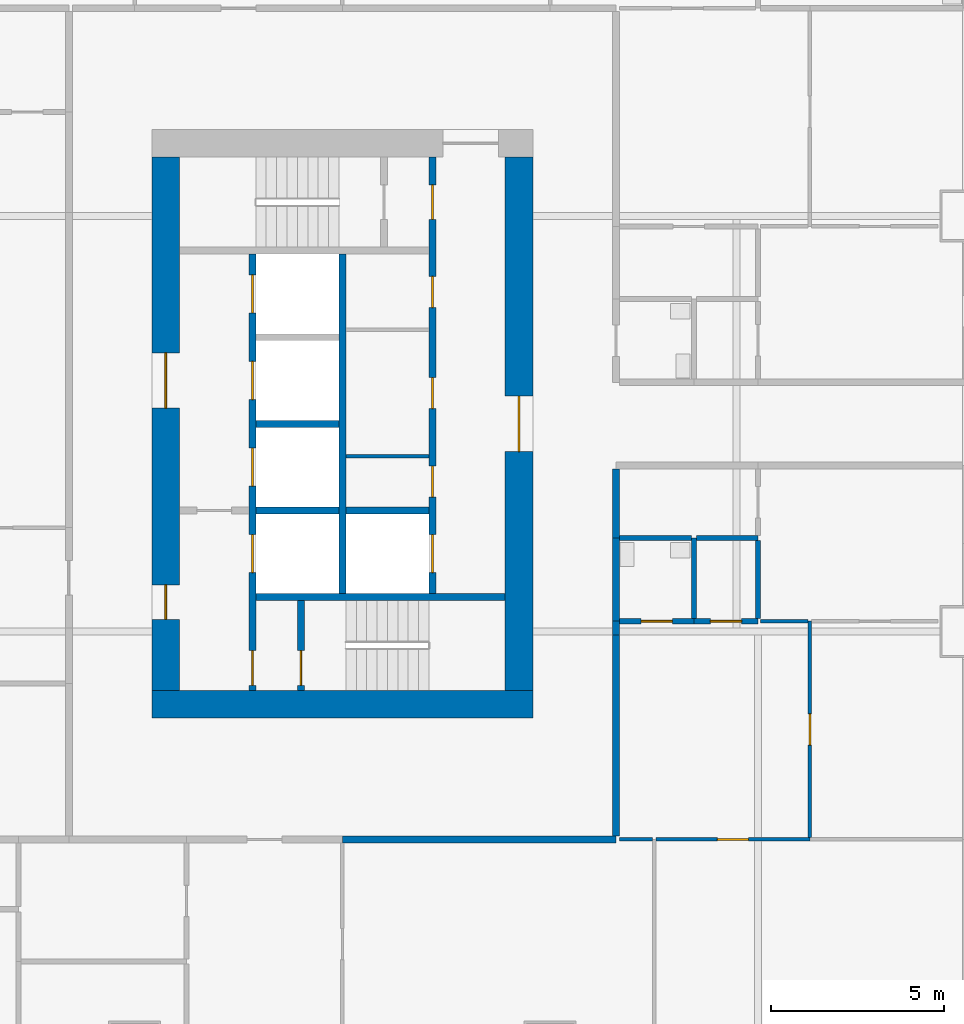
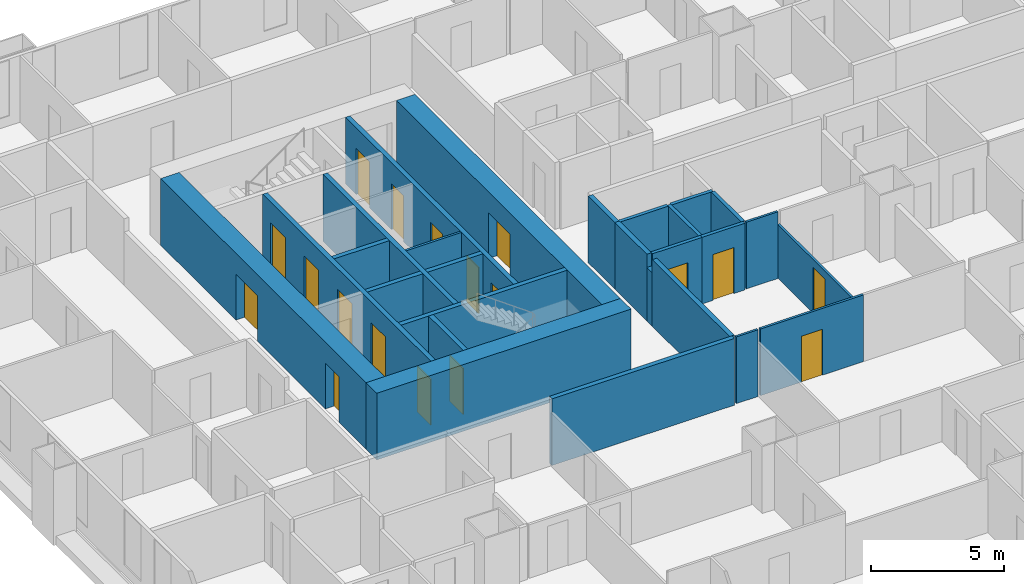
# One storey, part 4 of 14: 27 walls, 18 doors, 18 openings.
"""IFC4 building model written with IfcOpenShell, lengths in metres."""

from ifc_helpers import new_model, si_unit, direction, frame, frame_2d, origin, place, context, subcontext, project, spatial, rectangle, extrude, material, layer, layer_set, type_object, element, fill, save


model = new_model("IFC4")

# Units and contexts
model_context = context("Model", 3, precision=1e-05, world=origin(), true_north=direction((0.0, 1.0)))
body_context = subcontext(model_context, "Body", "Model", "MODEL_VIEW")
ifc_project = project(units=[si_unit("LENGTHUNIT", "METRE"), si_unit("AREAUNIT", "SQUARE_METRE"), si_unit("VOLUMEUNIT", "CUBIC_METRE"), si_unit("PLANEANGLEUNIT", "RADIAN"), si_unit("MASSUNIT", "GRAM", prefix="KILO")], contexts=[model_context])

# Site, building, storey
site_placement = place(None, origin())
site = spatial("IfcSite", under=ifc_project, at=site_placement, CompositionType="ELEMENT")
building_placement = place(site_placement, origin())
building = spatial("IfcBuilding", under=site, at=building_placement, Name="Kitamizu Gate Tower and Museum", CompositionType="ELEMENT")
storey_placement = place(building_placement, frame((0.0, 0.0, 64.5)))
storey = spatial("IfcBuildingStorey", under=building, at=storey_placement, Name="L15", CompositionType="ELEMENT", Elevation=64.5)

# Wall
ifc_material_1 = material(Name="Concrete Fc60", Category="concrete")
ifc_layer_1 = layer(ifc_material_1, 0.800048828125)
ifc_layer_set_1 = layer_set([ifc_layer_1], Name="Concrete Fc60")
wall_type_1 = type_object("IfcWallType", Name="Core wall 800", PredefinedType="SHEAR", material=ifc_layer_set_1)
wall_1_placement = place(storey_placement, frame((12.5, 21.89990234375, 0.0), z_axis=(0.0, 0.0, 1.0), x_axis=(1.0, 0.0, 0.0)))
element("IfcWall", 1, at=wall_1_placement, inside=storey, type_object=wall_type_1, Name="Core wall WS", PredefinedType="SHEAR", context=body_context, shape_type="SweptSolid", body=[
    extrude(rectangle(XDim=11.0, YDim=0.800048828125, at=frame_2d((5.5, 0.0))), origin(), (0.0, 0.0, 1.0), 3.050048828125),
])

# Wall, openings, doors
wall_2_placement = place(storey_placement, frame((12.89990234375, 22.300048828125, 0.0), z_axis=(0.0, 0.0, 1.0), x_axis=(0.0, 1.0, 0.0)))
wall_2 = element("IfcWall", 2, at=wall_2_placement, inside=storey, type_object=wall_type_1, Name="Core wall WOUT", PredefinedType="SHEAR", context=body_context, shape_type="SweptSolid", body=[
    extrude(rectangle(XDim=15.39990234375, YDim=0.800048828125, at=frame_2d((7.699951171875, 0.0))), origin(), (0.0, 0.0, 1.0), 3.050048828125),
])
opening_1_placement = place(wall_2_placement, frame((8.14990234375, 0.0, 0.0)))
opening_1 = element("IfcOpeningElement", 3, at=opening_1_placement, cuts=wall_2, Name="Opening L15-090", PredefinedType="OPENING", context=body_context, shape_type="SweptSolid", body=[
    extrude(rectangle(XDim=1.60009765625, YDim=2.10009765625, at=frame_2d((0.800048828125, 1.050048828125))), frame((0.0, 0.41015625, 0.0), z_axis=(0.0, -1.0, 0.0), x_axis=(1.0, 0.0, 0.0)), (0.0, 0.0, 1.0), 0.820068359375),
])
opening_2_placement = place(wall_2_placement, frame((2.050048828125, 0.0, 0.0)))
opening_2 = element("IfcOpeningElement", 4, at=opening_2_placement, cuts=wall_2, Name="Opening L15-091", PredefinedType="OPENING", context=body_context, shape_type="SweptSolid", body=[
    extrude(rectangle(XDim=1.0, YDim=2.10009765625, at=frame_2d((0.5, 1.050048828125))), frame((0.0, 0.41015625, 0.0), z_axis=(0.0, -1.0, 0.0), x_axis=(1.0, 0.0, 0.0)), (0.0, 0.0, 1.0), 0.820068359375),
])
ifc_material_2 = material(Name="Timber door set", Category="wood")
door_type_1 = type_object("IfcDoorType", Name="Entrance door 1600", OperationType="DOUBLE_DOOR_SINGLE_SWING", PredefinedType="DOOR", material=ifc_material_2)
door_1_placement = place(opening_1_placement, origin())
door_1 = element("IfcDoor", 5, at=door_1_placement, inside=storey, type_object=door_type_1, Name="Lobby door L15-090", OperationType="DOUBLE_DOOR_SINGLE_SWING", OverallHeight=2.10009765625, OverallWidth=1.60009765625, PredefinedType="DOOR", context=body_context, shape_type="SweptSolid", body=[
    extrude(rectangle(XDim=1.60009765625, YDim=2.10009765625, at=frame_2d((0.800048828125, 1.050048828125))), frame((0.0, 0.02490234375, 0.0), z_axis=(0.0, -1.0, 0.0), x_axis=(1.0, 0.0, 0.0)), (0.0, 0.0, 1.0), 0.050048828125),
])
fill(opening_1, door_1)
ifc_material_3 = material(Name="Hollow metal door set")
door_type_2 = type_object("IfcDoorType", Name="Fire door 1000", OperationType="NOTDEFINED", PredefinedType="DOOR", material=ifc_material_3)
door_2_placement = place(opening_2_placement, frame((1.0, 0.0, 0.0), x_axis=(-1.0, 0.0, 0.0)))
door_2 = element("IfcDoor", 6, at=door_2_placement, inside=storey, type_object=door_type_2, Name="Fire-fighting lobby door L15-091", OperationType="SINGLE_SWING_RIGHT", OverallHeight=2.10009765625, OverallWidth=1.0, PredefinedType="DOOR", context=body_context, shape_type="SweptSolid", body=[
    extrude(rectangle(XDim=1.0, YDim=2.10009765625, at=frame_2d((0.5, 1.050048828125))), frame((0.0, 0.02490234375, 0.0), z_axis=(0.0, -1.0, 0.0), x_axis=(1.0, 0.0, 0.0)), (0.0, 0.0, 1.0), 0.050048828125),
])
fill(opening_2, door_2)

# Wall, opening, door
wall_3_placement = place(storey_placement, frame((23.10009765625, 22.300048828125, 0.0), z_axis=(0.0, 0.0, 1.0), x_axis=(0.0, 1.0, 0.0)))
wall_3 = element("IfcWall", 7, at=wall_3_placement, inside=storey, type_object=wall_type_1, Name="Core wall WARC", PredefinedType="SHEAR", context=body_context, shape_type="SweptSolid", body=[
    extrude(rectangle(XDim=15.39990234375, YDim=0.800048828125, at=frame_2d((7.699951171875, 0.0))), origin(), (0.0, 0.0, 1.0), 3.050048828125),
])
opening_3_placement = place(wall_3_placement, frame((6.89990234375, 0.0, 0.0)))
opening_3 = element("IfcOpeningElement", 8, at=opening_3_placement, cuts=wall_3, Name="Opening L15-093", PredefinedType="OPENING", context=body_context, shape_type="SweptSolid", body=[
    extrude(rectangle(XDim=1.60009765625, YDim=2.10009765625, at=frame_2d((0.800048828125, 1.050048828125))), frame((0.0, 0.41015625, 0.0), z_axis=(0.0, -1.0, 0.0), x_axis=(1.0, 0.0, 0.0)), (0.0, 0.0, 1.0), 0.820068359375),
])
door_3_placement = place(opening_3_placement, origin())
door_3 = element("IfcDoor", 9, at=door_3_placement, inside=storey, type_object=door_type_1, Name="Lobby door L15-093", OperationType="DOUBLE_DOOR_SINGLE_SWING", OverallHeight=2.10009765625, OverallWidth=1.60009765625, PredefinedType="DOOR", context=body_context, shape_type="SweptSolid", body=[
    extrude(rectangle(XDim=1.60009765625, YDim=2.10009765625, at=frame_2d((0.800048828125, 1.050048828125))), frame((0.0, 0.02490234375, 0.0), z_axis=(0.0, -1.0, 0.0), x_axis=(1.0, 0.0, 0.0)), (0.0, 0.0, 1.0), 0.050048828125),
])
fill(opening_3, door_3)

# Walls
ifc_material_4 = material(Name="Gypsum board on galvanised stud")
ifc_layer_2 = layer(ifc_material_4, 0.10009765625)
ifc_layer_set_2 = layer_set([ifc_layer_2], Name="Gypsum board on galvanised stud")
wall_type_2 = type_object("IfcWallType", Name="Partition 100", PredefinedType="PARTITIONING", material=ifc_layer_set_2)
wall_4_placement = place(storey_placement, frame((18.10009765625, 29.06005859375, 0.0), z_axis=(0.0, 0.0, 1.0), x_axis=(1.0, 0.0, 0.0)))
element("IfcWall", 10, at=wall_4_placement, inside=storey, type_object=wall_type_2, Name="Partition WPF1", PredefinedType="PARTITIONING", context=body_context, shape_type="SweptSolid", body=[
    extrude(rectangle(XDim=2.39990234375, YDim=0.10009765625, at=frame_2d((1.199951171875, 0.0))), origin(), (0.0, 0.0, 1.0), 3.050048828125),
])
ifc_material_5 = material(Name="Gypsum board on galvanised stud")
ifc_layer_3 = layer(ifc_material_5, 0.10009765625)
ifc_layer_set_3 = layer_set([ifc_layer_3], Name="Gypsum board on galvanised stud")
wall_type_3 = type_object("IfcWallType", Name="Partition 100 NOT RATED", PredefinedType="PARTITIONING", material=ifc_layer_set_3)
wall_5_placement = place(storey_placement, frame((26.949951171875, 18.0, 0.0), z_axis=(0.0, 0.0, 1.0), x_axis=(-1.0, 0.0, 0.0)))
element("IfcWall", 11, at=wall_5_placement, inside=storey, type_object=wall_type_3, Name="Partition L15-047", PredefinedType="PARTITIONING", context=body_context, shape_type="SweptSolid", body=[
    extrude(rectangle(XDim=0.949951171875, YDim=0.10009765625, at=frame_2d((0.47509765625, 0.0))), origin(), (0.0, 0.0, 1.0), 3.050048828125),
])

# Wall, opening, door
wall_6_placement = place(storey_placement, frame((31.5, 18.0, 0.0), z_axis=(0.0, 0.0, 1.0), x_axis=(-1.0, 0.0, 0.0)))
wall_6 = element("IfcWall", 12, at=wall_6_placement, inside=storey, type_object=wall_type_3, Name="Partition L15-049", PredefinedType="PARTITIONING", context=body_context, shape_type="SweptSolid", body=[
    extrude(rectangle(XDim=4.449951171875, YDim=0.10009765625, at=frame_2d((2.22509765625, 0.0))), origin(), (0.0, 0.0, 1.0), 3.050048828125),
])
opening_4_placement = place(wall_6_placement, frame((1.77490234375, 0.0, 0.0)))
opening_4 = element("IfcOpeningElement", 13, at=opening_4_placement, cuts=wall_6, Name="Opening L15-019", PredefinedType="OPENING", context=body_context, shape_type="SweptSolid", body=[
    extrude(rectangle(XDim=0.89990234375, YDim=2.10009765625, at=frame_2d((0.449951171875, 1.050048828125))), frame((0.0, 0.06005859375, 0.0), z_axis=(0.0, -1.0, 0.0), x_axis=(1.0, 0.0, 0.0)), (0.0, 0.0, 1.0), 0.1201171875),
])
ifc_material_6 = material(Name="Timber door set", Category="wood")
door_type_3 = type_object("IfcDoorType", Name="Room door 900", OperationType="NOTDEFINED", PredefinedType="DOOR", material=ifc_material_6)
door_4_placement = place(opening_4_placement, frame((0.89990234375, 0.0, 0.0), x_axis=(-1.0, 0.0, 0.0)))
door_4 = element("IfcDoor", 14, at=door_4_placement, inside=storey, type_object=door_type_3, Name="Door L15-019", OperationType="SINGLE_SWING_RIGHT", OverallHeight=2.10009765625, OverallWidth=0.89990234375, PredefinedType="DOOR", context=body_context, shape_type="SweptSolid", body=[
    extrude(rectangle(XDim=0.89990234375, YDim=2.10009765625, at=frame_2d((0.449951171875, 1.050048828125))), frame((0.0, 0.02490234375, 0.0), z_axis=(0.0, -1.0, 0.0), x_axis=(1.0, 0.0, 0.0)), (0.0, 0.0, 1.0), 0.050048828125),
])
fill(opening_4, door_4)

wall_7_placement = place(storey_placement, frame((31.5, 18.050048828125, 0.0), z_axis=(0.0, 0.0, 1.0), x_axis=(0.0, 1.0, 0.0)))
wall_7 = element("IfcWall", 15, at=wall_7_placement, inside=storey, type_object=wall_type_3, Name="Partition L15-052", PredefinedType="PARTITIONING", context=body_context, shape_type="SweptSolid", body=[
    extrude(rectangle(XDim=6.25, YDim=0.10009765625, at=frame_2d((3.125, 0.0))), origin(), (0.0, 0.0, 1.0), 2.449951171875),
])
opening_5_placement = place(wall_7_placement, frame((2.675048828125, 0.0, 0.0)))
opening_5 = element("IfcOpeningElement", 16, at=opening_5_placement, cuts=wall_7, Name="Opening L15-020", PredefinedType="OPENING", context=body_context, shape_type="SweptSolid", body=[
    extrude(rectangle(XDim=0.89990234375, YDim=2.10009765625, at=frame_2d((0.449951171875, 1.050048828125))), frame((0.0, 0.06005859375, 0.0), z_axis=(0.0, -1.0, 0.0), x_axis=(1.0, 0.0, 0.0)), (0.0, 0.0, 1.0), 0.1201171875),
])
door_5_placement = place(opening_5_placement, frame((0.89990234375, 0.0, 0.0), x_axis=(-1.0, 0.0, 0.0)))
door_5 = element("IfcDoor", 17, at=door_5_placement, inside=storey, type_object=door_type_3, Name="Door L15-020", OperationType="SINGLE_SWING_LEFT", OverallHeight=2.10009765625, OverallWidth=0.89990234375, PredefinedType="DOOR", context=body_context, shape_type="SweptSolid", body=[
    extrude(rectangle(XDim=0.89990234375, YDim=2.10009765625, at=frame_2d((0.449951171875, 1.050048828125))), frame((0.0, 0.02490234375, 0.0), z_axis=(0.0, -1.0, 0.0), x_axis=(1.0, 0.0, 0.0)), (0.0, 0.0, 1.0), 0.050048828125),
])
fill(opening_5, door_5)

# Wall
wall_8_placement = place(storey_placement, frame((31.449951171875, 24.300048828125, 0.0), z_axis=(0.0, 0.0, 1.0), x_axis=(-1.0, 0.0, 0.0)))
element("IfcWall", 18, at=wall_8_placement, inside=storey, type_object=wall_type_3, Name="Partition L15-055", PredefinedType="PARTITIONING", context=body_context, shape_type="SweptSolid", body=[
    extrude(rectangle(XDim=1.375, YDim=0.10009765625, at=frame_2d((0.6875, 0.0))), origin(), (0.0, 0.0, 1.0), 3.050048828125),
])

# Wall, opening, door
ifc_material_7 = material(Name="Gypsum board on galvanised stud")
ifc_layer_4 = layer(ifc_material_7, 0.14990234375)
ifc_layer_set_4 = layer_set([ifc_layer_4], Name="Gypsum board on galvanised stud")
wall_type_4 = type_object("IfcWallType", Name="Partition 150", PredefinedType="PARTITIONING", material=ifc_layer_set_4)
wall_9_placement = place(storey_placement, frame((28.14990234375, 24.300048828125, 0.0), z_axis=(0.0, 0.0, 1.0), x_axis=(-1.0, 0.0, 0.0)))
wall_9 = element("IfcWall", 19, at=wall_9_placement, inside=storey, type_object=wall_type_4, Name="Partition L15-053", PredefinedType="PARTITIONING", context=body_context, shape_type="SweptSolid", body=[
    extrude(rectangle(XDim=2.14990234375, YDim=0.14990234375, at=frame_2d((1.074951171875, 0.0))), origin(), (0.0, 0.0, 1.0), 3.050048828125),
])
opening_6_placement = place(wall_9_placement, frame((0.625, 0.0, 0.0)))
opening_6 = element("IfcOpeningElement", 20, at=opening_6_placement, cuts=wall_9, Name="Opening L15-021", PredefinedType="OPENING", context=body_context, shape_type="SweptSolid", body=[
    extrude(rectangle(XDim=0.89990234375, YDim=2.10009765625, at=frame_2d((0.449951171875, 1.050048828125))), frame((0.0, 0.0849609375, 0.0), z_axis=(0.0, -1.0, 0.0), x_axis=(1.0, 0.0, 0.0)), (0.0, 0.0, 1.0), 0.169921875),
])
ifc_material_8 = material(Name="Timber door set", Category="wood")
door_type_4 = type_object("IfcDoorType", Name="Bathroom door 900", OperationType="NOTDEFINED", PredefinedType="DOOR", material=ifc_material_8)
door_6_placement = place(opening_6_placement, frame((0.89990234375, 0.0, 0.0), x_axis=(-1.0, 0.0, 0.0)))
door_6 = element("IfcDoor", 21, at=door_6_placement, inside=storey, type_object=door_type_4, Name="Bathroom door L15-021", OperationType="SINGLE_SWING_RIGHT", OverallHeight=2.10009765625, OverallWidth=0.89990234375, PredefinedType="DOOR", context=body_context, shape_type="SweptSolid", body=[
    extrude(rectangle(XDim=0.89990234375, YDim=2.10009765625, at=frame_2d((0.449951171875, 1.050048828125))), frame((0.0, 0.02490234375, 0.0), z_axis=(0.0, -1.0, 0.0), x_axis=(1.0, 0.0, 0.0)), (0.0, 0.0, 1.0), 0.050048828125),
])
fill(opening_6, door_6)

wall_10_placement = place(storey_placement, frame((30.0, 24.300048828125, 0.0), z_axis=(0.0, 0.0, 1.0), x_axis=(-1.0, 0.0, 0.0)))
wall_10 = element("IfcWall", 22, at=wall_10_placement, inside=storey, type_object=wall_type_4, Name="Partition L15-054", PredefinedType="PARTITIONING", context=body_context, shape_type="SweptSolid", body=[
    extrude(rectangle(XDim=1.85009765625, YDim=0.14990234375, at=frame_2d((0.925048828125, 0.0))), origin(), (0.0, 0.0, 1.0), 3.050048828125),
])
opening_7_placement = place(wall_10_placement, frame((0.47509765625, 0.0, 0.0)))
opening_7 = element("IfcOpeningElement", 23, at=opening_7_placement, cuts=wall_10, Name="Opening L15-022", PredefinedType="OPENING", context=body_context, shape_type="SweptSolid", body=[
    extrude(rectangle(XDim=0.89990234375, YDim=2.10009765625, at=frame_2d((0.449951171875, 1.050048828125))), frame((0.0, 0.0849609375, 0.0), z_axis=(0.0, -1.0, 0.0), x_axis=(1.0, 0.0, 0.0)), (0.0, 0.0, 1.0), 0.169921875),
])
door_7_placement = place(opening_7_placement, frame((0.89990234375, 0.0, 0.0), x_axis=(-1.0, 0.0, 0.0)))
door_7 = element("IfcDoor", 24, at=door_7_placement, inside=storey, type_object=door_type_4, Name="Bathroom door L15-022", OperationType="SINGLE_SWING_LEFT", OverallHeight=2.10009765625, OverallWidth=0.89990234375, PredefinedType="DOOR", context=body_context, shape_type="SweptSolid", body=[
    extrude(rectangle(XDim=0.89990234375, YDim=2.10009765625, at=frame_2d((0.449951171875, 1.050048828125))), frame((0.0, 0.02490234375, 0.0), z_axis=(0.0, -1.0, 0.0), x_axis=(1.0, 0.0, 0.0)), (0.0, 0.0, 1.0), 0.050048828125),
])
fill(opening_7, door_7)

# Walls
wall_11_placement = place(storey_placement, frame((28.14990234375, 24.375, 0.0), z_axis=(0.0, 0.0, 1.0), x_axis=(0.0, 1.0, 0.0)))
element("IfcWall", 25, at=wall_11_placement, inside=storey, type_object=wall_type_4, Name="Partition L15-060", PredefinedType="PARTITIONING", context=body_context, shape_type="SweptSolid", body=[
    extrude(rectangle(XDim=2.324951171875, YDim=0.14990234375, at=frame_2d((1.16259765625, 0.0))), origin(), (0.0, 0.0, 1.0), 3.050048828125),
])
wall_12_placement = place(storey_placement, frame((28.074951171875, 26.699951171875, 0.0), z_axis=(0.0, 0.0, 1.0), x_axis=(-1.0, 0.0, 0.0)))
element("IfcWall", 26, at=wall_12_placement, inside=storey, type_object=wall_type_4, Name="Partition L15-061", PredefinedType="PARTITIONING", context=body_context, shape_type="SweptSolid", body=[
    extrude(rectangle(XDim=2.074951171875, YDim=0.14990234375, at=frame_2d((1.03759765625, 0.0))), origin(), (0.0, 0.0, 1.0), 3.050048828125),
])
wall_13_placement = place(storey_placement, frame((30.0, 26.699951171875, 0.0), z_axis=(0.0, 0.0, 1.0), x_axis=(-1.0, 0.0, 0.0)))
element("IfcWall", 27, at=wall_13_placement, inside=storey, type_object=wall_type_4, Name="Partition L15-063", PredefinedType="PARTITIONING", context=body_context, shape_type="SweptSolid", body=[
    extrude(rectangle(XDim=1.77490234375, YDim=0.14990234375, at=frame_2d((0.887451171875, 0.0))), origin(), (0.0, 0.0, 1.0), 3.050048828125),
])
wall_14_placement = place(storey_placement, frame((30.0, 24.375, 0.0), z_axis=(0.0, 0.0, 1.0), x_axis=(0.0, 1.0, 0.0)))
element("IfcWall", 28, at=wall_14_placement, inside=storey, type_object=wall_type_4, Name="Partition L15-064", PredefinedType="PARTITIONING", context=body_context, shape_type="SweptSolid", body=[
    extrude(rectangle(XDim=2.25, YDim=0.14990234375, at=frame_2d((1.125, 0.0))), origin(), (0.0, 0.0, 1.0), 3.050048828125),
])
ifc_material_9 = material(Name="Gypsum board on galvanised stud")
ifc_layer_5 = layer(ifc_material_9, 0.199951171875)
ifc_layer_set_5 = layer_set([ifc_layer_5], Name="Gypsum board on galvanised stud")
wall_type_5 = type_object("IfcWallType", Name="Partition 200", PredefinedType="PARTITIONING", material=ifc_layer_set_5)
wall_15_placement = place(storey_placement, frame((25.89990234375, 18.0, 0.0), z_axis=(0.0, 0.0, 1.0), x_axis=(-1.0, 0.0, 0.0)))
element("IfcWall", 29, at=wall_15_placement, inside=storey, type_object=wall_type_5, Name="Partition L15-048", PredefinedType="PARTITIONING", context=body_context, shape_type="SweptSolid", body=[
    extrude(rectangle(XDim=7.89990234375, YDim=0.199951171875, at=frame_2d((3.949951171875, 0.0))), origin(), (0.0, 0.0, 1.0), 3.050048828125),
])
wall_16_placement = place(storey_placement, frame((25.89990234375, 24.300048828125, 0.0), z_axis=(0.0, 0.0, 1.0), x_axis=(0.0, -1.0, 0.0)))
element("IfcWall", 30, at=wall_16_placement, inside=storey, type_object=wall_type_5, Name="Partition L15-056", PredefinedType="PARTITIONING", context=body_context, shape_type="SweptSolid", body=[
    extrude(rectangle(XDim=0.400146484375, YDim=0.199951171875, at=frame_2d((0.2001953125, 0.0))), origin(), (0.0, 0.0, 1.0), 2.449951171875),
])
wall_17_placement = place(storey_placement, frame((25.89990234375, 23.89990234375, 0.0), z_axis=(0.0, 0.0, 1.0), x_axis=(0.0, -1.0, 0.0)))
element("IfcWall", 31, at=wall_17_placement, inside=storey, type_object=wall_type_5, Name="Partition L15-057", PredefinedType="PARTITIONING", context=body_context, shape_type="SweptSolid", body=[
    extrude(rectangle(XDim=5.7998046875, YDim=0.199951171875, at=frame_2d((2.89990234375, 0.0))), origin(), (0.0, 0.0, 1.0), 3.050048828125),
])
wall_18_placement = place(storey_placement, frame((25.89990234375, 26.699951171875, 0.0), z_axis=(0.0, 0.0, 1.0), x_axis=(0.0, -1.0, 0.0)))
element("IfcWall", 32, at=wall_18_placement, inside=storey, type_object=wall_type_5, Name="Partition L15-062", PredefinedType="PARTITIONING", context=body_context, shape_type="SweptSolid", body=[
    extrude(rectangle(XDim=2.39990234375, YDim=0.199951171875, at=frame_2d((1.199951171875, 0.0))), origin(), (0.0, 0.0, 1.0), 3.050048828125),
])
wall_19_placement = place(storey_placement, frame((25.89990234375, 28.699951171875, 0.0), z_axis=(0.0, 0.0, 1.0), x_axis=(0.0, -1.0, 0.0)))
element("IfcWall", 33, at=wall_19_placement, inside=storey, type_object=wall_type_5, Name="Partition L15-067", PredefinedType="PARTITIONING", context=body_context, shape_type="SweptSolid", body=[
    extrude(rectangle(XDim=2.0, YDim=0.199951171875, at=frame_2d((1.0, 0.0))), origin(), (0.0, 0.0, 1.0), 3.050048828125),
])

# Wall, openings, doors
ifc_material_10 = material(Name="Concrete Fc42", Category="concrete")
ifc_layer_6 = layer(ifc_material_10, 0.199951171875)
ifc_layer_set_6 = layer_set([ifc_layer_6], Name="Concrete Fc42")
wall_type_6 = type_object("IfcWallType", Name="Shaft wall 200", PredefinedType="SOLIDWALL", material=ifc_layer_set_6)
wall_20_placement = place(storey_placement, frame((15.39990234375, 22.300048828125, 0.0), z_axis=(0.0, 0.0, 1.0), x_axis=(0.0, 1.0, 0.0)))
wall_20 = element("IfcWall", 34, at=wall_20_placement, inside=storey, type_object=wall_type_6, Name="Shaft wall WWEST", PredefinedType="SOLIDWALL", context=body_context, shape_type="SweptSolid", body=[
    extrude(rectangle(XDim=12.599853515625, YDim=0.199951171875, at=frame_2d((6.2998046875, 0.0))), origin(), (0.0, 0.0, 1.0), 3.050048828125),
])
opening_8_placement = place(wall_20_placement, frame((3.39990234375, 0.0, 0.0)))
opening_8 = element("IfcOpeningElement", 35, at=opening_8_placement, cuts=wall_20, Name="Opening LD", PredefinedType="OPENING", context=body_context, shape_type="SweptSolid", body=[
    extrude(rectangle(XDim=1.10009765625, YDim=2.10009765625, at=frame_2d((0.550048828125, 1.050048828125))), frame((0.0, 0.10986328125, 0.0), z_axis=(0.0, -1.0, 0.0), x_axis=(1.0, 0.0, 0.0)), (0.0, 0.0, 1.0), 0.219970703125),
])
opening_9_placement = place(wall_20_placement, frame((5.89990234375, 0.0, 0.0)))
opening_9 = element("IfcOpeningElement", 36, at=opening_9_placement, cuts=wall_20, Name="Opening LD", PredefinedType="OPENING", context=body_context, shape_type="SweptSolid", body=[
    extrude(rectangle(XDim=1.10009765625, YDim=2.10009765625, at=frame_2d((0.550048828125, 1.050048828125))), frame((0.0, 0.10986328125, 0.0), z_axis=(0.0, -1.0, 0.0), x_axis=(1.0, 0.0, 0.0)), (0.0, 0.0, 1.0), 0.219970703125),
])
opening_10_placement = place(wall_20_placement, frame((8.39990234375, 0.0, 0.0)))
opening_10 = element("IfcOpeningElement", 37, at=opening_10_placement, cuts=wall_20, Name="Opening LD", PredefinedType="OPENING", context=body_context, shape_type="SweptSolid", body=[
    extrude(rectangle(XDim=1.10009765625, YDim=2.10009765625, at=frame_2d((0.550048828125, 1.050048828125))), frame((0.0, 0.10986328125, 0.0), z_axis=(0.0, -1.0, 0.0), x_axis=(1.0, 0.0, 0.0)), (0.0, 0.0, 1.0), 0.219970703125),
])
opening_11_placement = place(wall_20_placement, frame((10.89990234375, 0.0, 0.0)))
opening_11 = element("IfcOpeningElement", 38, at=opening_11_placement, cuts=wall_20, Name="Opening LD", PredefinedType="OPENING", context=body_context, shape_type="SweptSolid", body=[
    extrude(rectangle(XDim=1.10009765625, YDim=2.10009765625, at=frame_2d((0.550048828125, 1.050048828125))), frame((0.0, 0.10986328125, 0.0), z_axis=(0.0, -1.0, 0.0), x_axis=(1.0, 0.0, 0.0)), (0.0, 0.0, 1.0), 0.219970703125),
])
opening_12_placement = place(wall_20_placement, frame((0.14990234375, 0.0, 0.0)))
opening_12 = element("IfcOpeningElement", 39, at=opening_12_placement, cuts=wall_20, Name="Opening L15-086", PredefinedType="OPENING", context=body_context, shape_type="SweptSolid", body=[
    extrude(rectangle(XDim=1.0, YDim=2.10009765625, at=frame_2d((0.5, 1.050048828125))), frame((0.0, 0.10986328125, 0.0), z_axis=(0.0, -1.0, 0.0), x_axis=(1.0, 0.0, 0.0)), (0.0, 0.0, 1.0), 0.219970703125),
])
door_8_placement = place(opening_12_placement, frame((1.0, 0.0, 0.0), x_axis=(-1.0, 0.0, 0.0)))
door_8 = element("IfcDoor", 40, at=door_8_placement, inside=storey, type_object=door_type_2, Name="Stair lobby door L15-086", OperationType="SINGLE_SWING_LEFT", OverallHeight=2.10009765625, OverallWidth=1.0, PredefinedType="DOOR", context=body_context, shape_type="SweptSolid", body=[
    extrude(rectangle(XDim=1.0, YDim=2.10009765625, at=frame_2d((0.5, 1.050048828125))), frame((0.0, 0.02490234375, 0.0), z_axis=(0.0, -1.0, 0.0), x_axis=(1.0, 0.0, 0.0)), (0.0, 0.0, 1.0), 0.050048828125),
])
fill(opening_12, door_8)
ifc_material_11 = material(Name="Hollow metal door set")
door_type_5 = type_object("IfcDoorType", Name="Landing door 1100", OperationType="SLIDING_TO_LEFT", PredefinedType="DOOR", material=ifc_material_11)
door_9_placement = place(opening_8_placement, origin())
door_9 = element("IfcDoor", 41, at=door_9_placement, inside=storey, type_object=door_type_5, Name="Landing door WFF1", OperationType="SLIDING_TO_LEFT", OverallHeight=2.10009765625, OverallWidth=1.10009765625, PredefinedType="DOOR", context=body_context, shape_type="SweptSolid", body=[
    extrude(rectangle(XDim=1.10009765625, YDim=2.10009765625, at=frame_2d((0.550048828125, 1.050048828125))), frame((0.0, 0.02490234375, 0.0), z_axis=(0.0, -1.0, 0.0), x_axis=(1.0, 0.0, 0.0)), (0.0, 0.0, 1.0), 0.050048828125),
])
fill(opening_8, door_9)
door_10_placement = place(opening_9_placement, origin())
door_10 = element("IfcDoor", 42, at=door_10_placement, inside=storey, type_object=door_type_5, Name="Landing door WL1", OperationType="SLIDING_TO_LEFT", OverallHeight=2.10009765625, OverallWidth=1.10009765625, PredefinedType="DOOR", context=body_context, shape_type="SweptSolid", body=[
    extrude(rectangle(XDim=1.10009765625, YDim=2.10009765625, at=frame_2d((0.550048828125, 1.050048828125))), frame((0.0, 0.02490234375, 0.0), z_axis=(0.0, -1.0, 0.0), x_axis=(1.0, 0.0, 0.0)), (0.0, 0.0, 1.0), 0.050048828125),
])
fill(opening_9, door_10)
door_11_placement = place(opening_10_placement, origin())
door_11 = element("IfcDoor", 43, at=door_11_placement, inside=storey, type_object=door_type_5, Name="Landing door WL2", OperationType="SLIDING_TO_LEFT", OverallHeight=2.10009765625, OverallWidth=1.10009765625, PredefinedType="DOOR", context=body_context, shape_type="SweptSolid", body=[
    extrude(rectangle(XDim=1.10009765625, YDim=2.10009765625, at=frame_2d((0.550048828125, 1.050048828125))), frame((0.0, 0.02490234375, 0.0), z_axis=(0.0, -1.0, 0.0), x_axis=(1.0, 0.0, 0.0)), (0.0, 0.0, 1.0), 0.050048828125),
])
fill(opening_10, door_11)
door_12_placement = place(opening_11_placement, origin())
door_12 = element("IfcDoor", 44, at=door_12_placement, inside=storey, type_object=door_type_5, Name="Landing door WL3", OperationType="SLIDING_TO_LEFT", OverallHeight=2.10009765625, OverallWidth=1.10009765625, PredefinedType="DOOR", context=body_context, shape_type="SweptSolid", body=[
    extrude(rectangle(XDim=1.10009765625, YDim=2.10009765625, at=frame_2d((0.550048828125, 1.050048828125))), frame((0.0, 0.02490234375, 0.0), z_axis=(0.0, -1.0, 0.0), x_axis=(1.0, 0.0, 0.0)), (0.0, 0.0, 1.0), 0.050048828125),
])
fill(opening_11, door_12)

wall_21_placement = place(storey_placement, frame((20.60009765625, 25.10009765625, 0.0), z_axis=(0.0, 0.0, 1.0), x_axis=(0.0, 1.0, 0.0)))
wall_21 = element("IfcWall", 45, at=wall_21_placement, inside=storey, type_object=wall_type_6, Name="Shaft wall WEAST", PredefinedType="SOLIDWALL", context=body_context, shape_type="SweptSolid", body=[
    extrude(rectangle(XDim=12.599853515625, YDim=0.199951171875, at=frame_2d((6.2998046875, 0.0))), origin(), (0.0, 0.0, 1.0), 3.050048828125),
])
opening_13_placement = place(wall_21_placement, frame((0.60009765625, 0.0, 0.0)))
opening_13 = element("IfcOpeningElement", 46, at=opening_13_placement, cuts=wall_21, Name="Opening LD", PredefinedType="OPENING", context=body_context, shape_type="SweptSolid", body=[
    extrude(rectangle(XDim=1.10009765625, YDim=2.10009765625, at=frame_2d((0.550048828125, 1.050048828125))), frame((0.0, 0.10986328125, 0.0), z_axis=(0.0, -1.0, 0.0), x_axis=(1.0, 0.0, 0.0)), (0.0, 0.0, 1.0), 0.219970703125),
])
opening_14_placement = place(wall_21_placement, frame((10.800048828125, 0.0, 0.0)))
opening_14 = element("IfcOpeningElement", 47, at=opening_14_placement, cuts=wall_21, Name="Opening L15-087", PredefinedType="OPENING", context=body_context, shape_type="SweptSolid", body=[
    extrude(rectangle(XDim=1.0, YDim=2.10009765625, at=frame_2d((0.5, 1.050048828125))), frame((0.0, 0.10986328125, 0.0), z_axis=(0.0, -1.0, 0.0), x_axis=(1.0, 0.0, 0.0)), (0.0, 0.0, 1.0), 0.219970703125),
])
opening_15_placement = place(wall_21_placement, frame((2.780029296875, 0.0, 0.0)))
opening_15 = element("IfcOpeningElement", 48, at=opening_15_placement, cuts=wall_21, Name="Opening L15-094", PredefinedType="OPENING", context=body_context, shape_type="SweptSolid", body=[
    extrude(rectangle(XDim=0.89990234375, YDim=2.10009765625, at=frame_2d((0.449951171875, 1.050048828125))), frame((0.0, 0.10986328125, 0.0), z_axis=(0.0, -1.0, 0.0), x_axis=(1.0, 0.0, 0.0)), (0.0, 0.0, 1.0), 0.219970703125),
])
opening_16_placement = place(wall_21_placement, frame((5.3349609375, 0.0, 0.0)))
opening_16 = element("IfcOpeningElement", 49, at=opening_16_placement, cuts=wall_21, Name="Opening L15-095", PredefinedType="OPENING", context=body_context, shape_type="SweptSolid", body=[
    extrude(rectangle(XDim=0.89990234375, YDim=2.10009765625, at=frame_2d((0.449951171875, 1.050048828125))), frame((0.0, 0.10986328125, 0.0), z_axis=(0.0, -1.0, 0.0), x_axis=(1.0, 0.0, 0.0)), (0.0, 0.0, 1.0), 0.219970703125),
])
opening_17_placement = place(wall_21_placement, frame((8.2548828125, 0.0, 0.0)))
opening_17 = element("IfcOpeningElement", 50, at=opening_17_placement, cuts=wall_21, Name="Opening L15-096", PredefinedType="OPENING", context=body_context, shape_type="SweptSolid", body=[
    extrude(rectangle(XDim=0.89990234375, YDim=2.10009765625, at=frame_2d((0.449951171875, 1.050048828125))), frame((0.0, 0.10986328125, 0.0), z_axis=(0.0, -1.0, 0.0), x_axis=(1.0, 0.0, 0.0)), (0.0, 0.0, 1.0), 0.219970703125),
])
door_13_placement = place(opening_14_placement, origin())
door_13 = element("IfcDoor", 51, at=door_13_placement, inside=storey, type_object=door_type_2, Name="Stair lobby door L15-087", OperationType="SINGLE_SWING_RIGHT", OverallHeight=2.10009765625, OverallWidth=1.0, PredefinedType="DOOR", context=body_context, shape_type="SweptSolid", body=[
    extrude(rectangle(XDim=1.0, YDim=2.10009765625, at=frame_2d((0.5, 1.050048828125))), frame((0.0, 0.02490234375, 0.0), z_axis=(0.0, -1.0, 0.0), x_axis=(1.0, 0.0, 0.0)), (0.0, 0.0, 1.0), 0.050048828125),
])
fill(opening_14, door_13)
door_14_placement = place(opening_13_placement, origin())
door_14 = element("IfcDoor", 52, at=door_14_placement, inside=storey, type_object=door_type_5, Name="Landing door WSV1", OperationType="SLIDING_TO_LEFT", OverallHeight=2.10009765625, OverallWidth=1.10009765625, PredefinedType="DOOR", context=body_context, shape_type="SweptSolid", body=[
    extrude(rectangle(XDim=1.10009765625, YDim=2.10009765625, at=frame_2d((0.550048828125, 1.050048828125))), frame((0.0, 0.02490234375, 0.0), z_axis=(0.0, -1.0, 0.0), x_axis=(1.0, 0.0, 0.0)), (0.0, 0.0, 1.0), 0.050048828125),
])
fill(opening_13, door_14)
ifc_material_12 = material(Name="Timber door set", Category="wood")
door_type_6 = type_object("IfcDoorType", Name="Service door 900", OperationType="NOTDEFINED", PredefinedType="DOOR", material=ifc_material_12)
door_15_placement = place(opening_15_placement, origin())
door_15 = element("IfcDoor", 53, at=door_15_placement, inside=storey, type_object=door_type_6, Name="Service door L15-094", OperationType="SINGLE_SWING_RIGHT", OverallHeight=2.10009765625, OverallWidth=0.89990234375, PredefinedType="DOOR", context=body_context, shape_type="SweptSolid", body=[
    extrude(rectangle(XDim=0.89990234375, YDim=2.10009765625, at=frame_2d((0.449951171875, 1.050048828125))), frame((0.0, 0.02490234375, 0.0), z_axis=(0.0, -1.0, 0.0), x_axis=(1.0, 0.0, 0.0)), (0.0, 0.0, 1.0), 0.050048828125),
])
fill(opening_15, door_15)
door_16_placement = place(opening_16_placement, origin())
door_16 = element("IfcDoor", 54, at=door_16_placement, inside=storey, type_object=door_type_6, Name="Service door L15-095", OperationType="SINGLE_SWING_LEFT", OverallHeight=2.10009765625, OverallWidth=0.89990234375, PredefinedType="DOOR", context=body_context, shape_type="SweptSolid", body=[
    extrude(rectangle(XDim=0.89990234375, YDim=2.10009765625, at=frame_2d((0.449951171875, 1.050048828125))), frame((0.0, 0.02490234375, 0.0), z_axis=(0.0, -1.0, 0.0), x_axis=(1.0, 0.0, 0.0)), (0.0, 0.0, 1.0), 0.050048828125),
])
fill(opening_16, door_16)
door_17_placement = place(opening_17_placement, origin())
door_17 = element("IfcDoor", 55, at=door_17_placement, inside=storey, type_object=door_type_6, Name="Service door L15-096", OperationType="SINGLE_SWING_RIGHT", OverallHeight=2.10009765625, OverallWidth=0.89990234375, PredefinedType="DOOR", context=body_context, shape_type="SweptSolid", body=[
    extrude(rectangle(XDim=0.89990234375, YDim=2.10009765625, at=frame_2d((0.449951171875, 1.050048828125))), frame((0.0, 0.02490234375, 0.0), z_axis=(0.0, -1.0, 0.0), x_axis=(1.0, 0.0, 0.0)), (0.0, 0.0, 1.0), 0.050048828125),
])
fill(opening_17, door_17)

# Walls
wall_22_placement = place(storey_placement, frame((18.0, 25.10009765625, 0.0), z_axis=(0.0, 0.0, 1.0), x_axis=(0.0, 1.0, 0.0)))
element("IfcWall", 56, at=wall_22_placement, inside=storey, type_object=wall_type_6, Name="Shaft wall WMID", PredefinedType="SOLIDWALL", context=body_context, shape_type="SweptSolid", body=[
    extrude(rectangle(XDim=9.7998046875, YDim=0.199951171875, at=frame_2d((4.89990234375, 0.0))), origin(), (0.0, 0.0, 1.0), 3.050048828125),
])
wall_23_placement = place(storey_placement, frame((15.5, 25.0, 0.0), z_axis=(0.0, 0.0, 1.0), x_axis=(1.0, 0.0, 0.0)))
element("IfcWall", 57, at=wall_23_placement, inside=storey, type_object=wall_type_6, Name="Shaft wall WSB", PredefinedType="SOLIDWALL", context=body_context, shape_type="SweptSolid", body=[
    extrude(rectangle(XDim=7.199951171875, YDim=0.199951171875, at=frame_2d((3.60009765625, 0.0))), origin(), (0.0, 0.0, 1.0), 3.050048828125),
])

# Wall, opening, door
wall_24_placement = place(storey_placement, frame((16.800048828125, 22.300048828125, 0.0), z_axis=(0.0, 0.0, 1.0), x_axis=(0.0, 1.0, 0.0)))
wall_24 = element("IfcWall", 58, at=wall_24_placement, inside=storey, type_object=wall_type_6, Name="Shaft wall WSZ", PredefinedType="SOLIDWALL", context=body_context, shape_type="SweptSolid", body=[
    extrude(rectangle(XDim=2.599853515625, YDim=0.199951171875, at=frame_2d((1.2998046875, 0.0))), origin(), (0.0, 0.0, 1.0), 3.050048828125),
])
opening_18_placement = place(wall_24_placement, frame((0.14990234375, 0.0, 0.0)))
opening_18 = element("IfcOpeningElement", 59, at=opening_18_placement, cuts=wall_24, Name="Opening L15-085", PredefinedType="OPENING", context=body_context, shape_type="SweptSolid", body=[
    extrude(rectangle(XDim=1.0, YDim=2.10009765625, at=frame_2d((0.5, 1.050048828125))), frame((0.0, 0.10986328125, 0.0), z_axis=(0.0, -1.0, 0.0), x_axis=(1.0, 0.0, 0.0)), (0.0, 0.0, 1.0), 0.219970703125),
])
door_18_placement = place(opening_18_placement, frame((1.0, 0.0, 0.0), x_axis=(-1.0, 0.0, 0.0)))
door_18 = element("IfcDoor", 60, at=door_18_placement, inside=storey, type_object=door_type_2, Name="Stair door L15-085", OperationType="SINGLE_SWING_LEFT", OverallHeight=2.10009765625, OverallWidth=1.0, PredefinedType="DOOR", context=body_context, shape_type="SweptSolid", body=[
    extrude(rectangle(XDim=1.0, YDim=2.10009765625, at=frame_2d((0.5, 1.050048828125))), frame((0.0, 0.02490234375, 0.0), z_axis=(0.0, -1.0, 0.0), x_axis=(1.0, 0.0, 0.0)), (0.0, 0.0, 1.0), 0.050048828125),
])
fill(opening_18, door_18)

# Walls
for number, where, z_axis, x_axis, name in (
    (61, (15.5, 27.5, 0.0), (0.0, 0.0, 1.0), (1.0, 0.0, 0.0), "Shaft wall WDVW0"),
    (62, (15.5, 30.0, 0.0), (0.0, 0.0, 1.0), (1.0, 0.0, 0.0), "Shaft wall WDVW1"),
    (63, (18.10009765625, 27.5, 0.0), (0.0, 0.0, 1.0), (1.0, 0.0, 0.0), "Shaft wall WDVE0"),
):
    element("IfcWall", number, at=place(storey_placement, frame(where, z_axis=z_axis, x_axis=x_axis)), inside=storey, type_object=wall_type_6, Name=name, PredefinedType="SOLIDWALL", context=body_context, shape_type="SweptSolid", body=[
        extrude(rectangle(XDim=2.39990234375, YDim=0.199951171875, at=frame_2d((1.199951171875, 0.0))), origin(), (0.0, 0.0, 1.0), 3.050048828125),
    ])

save(model, "model.ifc")
